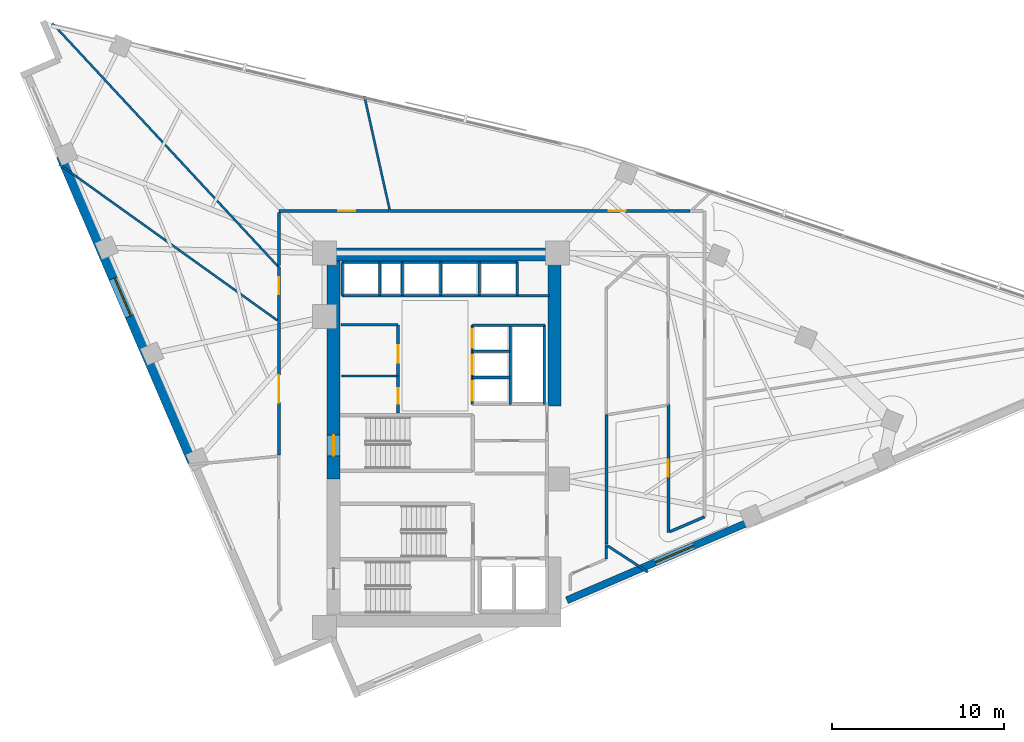
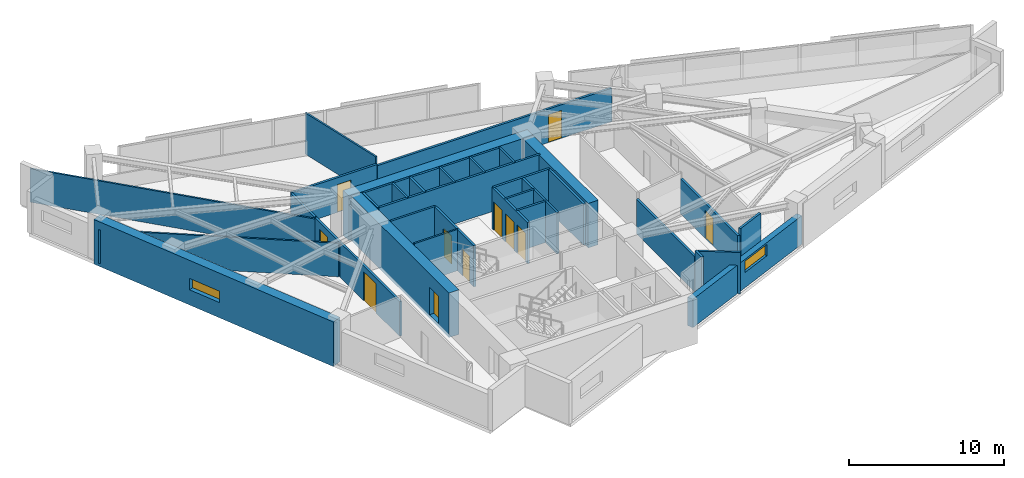
# One storey, part 10 of 14: 36 walls, 11 doors, 2 windows, 13 openings.
"""IFC4 building model written with IfcOpenShell, lengths in metres."""

import ifcopenshell
import ifcopenshell.guid

model = None  # the IFC model being written
_history = None  # IfcOwnerHistory: only IFC2X3 demands one
_inside = {}  # id of a spatial element -> (the spatial element, [elements in it])
_under = {}  # id of a project, library or spatial element -> (it, [spatial elements below it])
_declared = {}  # id of a project -> (the project, [libraries it declares])
_typed = {}  # id of a type object -> (the type object, [elements of that type])
_made_of = {}  # id of a material, layer set ... -> (it, [elements and type objects made of it])


def new_model(schema):
    """Start an empty IFC model of exactly this schema.

    Asked for "IFC4X3", IfcOpenShell would pick the latest addendum, in which some entities
    have other attributes; the version numbers below select the first issue.
    IFC2X3 requires an IfcOwnerHistory on every rooted entity: one is made here for all.
    """
    global model, _history
    if schema == "IFC4X3":
        model = ifcopenshell.file(schema_version=(4, 3, 0, 0))
    else:
        model = ifcopenshell.file(schema=schema)
    _inside.clear()
    _under.clear()
    _declared.clear()
    _typed.clear()
    _made_of.clear()
    _history = None
    if model.schema == "IFC2X3":
        org = make("IfcOrganization", Name="unknown")
        user = make(
            "IfcPersonAndOrganization",
            ThePerson=make("IfcPerson", FamilyName="unknown"),
            TheOrganization=org,
        )
        app = make(
            "IfcApplication",
            ApplicationDeveloper=org,
            Version="unknown",
            ApplicationFullName="unknown",
            ApplicationIdentifier="unknown",
        )
        _history = make(
            "IfcOwnerHistory",
            OwningUser=user,
            OwningApplication=app,
            ChangeAction="ADDED",
            CreationDate=0,
        )
    return model


def make(cls, **values):
    """One entity of the class cls with the attributes given. An attribute that is None is left unset."""
    return model.create_entity(
        cls, **{name: value for name, value in values.items() if value is not None}
    )


def rooted(cls, **values):
    """An entity with a GlobalId (a new one), such as an element, a storey or a relation."""
    return make(cls, GlobalId=ifcopenshell.guid.new(), OwnerHistory=_history, **values)


def si_unit(unit_type, name, prefix=None):
    """IfcSIUnit, for example si_unit("LENGTHUNIT", "METRE", prefix="MILLI")."""
    return make("IfcSIUnit", UnitType=unit_type, Prefix=prefix, Name=name)


def assignment(units):
    """IfcUnitAssignment: the units of a project."""
    return None if units is None else make("IfcUnitAssignment", Units=units)


def point(xyz):
    """IfcCartesianPoint."""
    return None if xyz is None else make("IfcCartesianPoint", Coordinates=xyz)


def direction(xyz):
    """IfcDirection."""
    return None if xyz is None else make("IfcDirection", DirectionRatios=xyz)


def frame(location, z_axis=None, x_axis=None):
    """IfcAxis2Placement3D, a coordinate frame: its origin and axes. An axis left out is left unset."""
    return make(
        "IfcAxis2Placement3D",
        Location=point(location),
        Axis=direction(z_axis),
        RefDirection=direction(x_axis),
    )


def frame_2d(location, x_axis=None):
    """IfcAxis2Placement2D, a coordinate frame in the plane: its origin and x axis."""
    return make(
        "IfcAxis2Placement2D", Location=point(location), RefDirection=direction(x_axis)
    )


def origin():
    """The frame at (0, 0, 0) with its axes left unset."""
    return frame((0.0, 0.0, 0.0))


def place(relative_to, where):
    """IfcLocalPlacement: puts the frame where relative to a parent placement (None: the world)."""
    return make(
        "IfcLocalPlacement", PlacementRelTo=relative_to, RelativePlacement=where
    )


def context(
    kind, dimensions, precision=None, world=None, true_north=None, identifier=None
):
    """IfcGeometricRepresentationContext, for example the 3D "Model" context."""
    return make(
        "IfcGeometricRepresentationContext",
        ContextIdentifier=identifier,
        ContextType=kind,
        CoordinateSpaceDimension=dimensions,
        Precision=precision,
        WorldCoordinateSystem=world,
        TrueNorth=true_north,
    )


def subcontext(parent, identifier, kind, view, scale=None):
    """IfcGeometricRepresentationSubContext, for example "Body" below "Model"."""
    return make(
        "IfcGeometricRepresentationSubContext",
        ContextIdentifier=identifier,
        ContextType=kind,
        ParentContext=parent,
        TargetScale=scale,
        TargetView=view,
    )


def project(units=None, contexts=None):
    """IfcProject with its units and contexts."""
    return rooted(
        "IfcProject",
        Name="project",
        RepresentationContexts=contexts,
        UnitsInContext=assignment(units),
    )


def spatial(cls, under=None, at=None, **own):
    """A site, building, storey or space (cls), placed at a placement, below another one or the project."""
    s = rooted(cls, ObjectPlacement=at, **own)
    if under is not None:
        _under.setdefault(under.id(), (under, []))[1].append(s)
    return s


def profile(cls, at=None, kind="AREA", **sizes):
    """A parametric profile (cls). Its sizes go by their IFC names, for example OverallWidth=200.0."""
    return make(cls, ProfileType=kind, Position=at, **sizes)


def rectangle(**sizes):
    """IfcRectangleProfileDef."""
    return profile("IfcRectangleProfileDef", **sizes)


def extrude(swept, where, along, depth):
    """IfcExtrudedAreaSolid: the profile swept, set in the frame where, extruded along a direction by depth."""
    return make(
        "IfcExtrudedAreaSolid",
        SweptArea=swept,
        Position=where,
        ExtrudedDirection=direction(along),
        Depth=depth,
    )


def shape(context_of_items, identifier, shape_type, items):
    """IfcShapeRepresentation: the items that make up one representation, for example the "Body"."""
    return make(
        "IfcShapeRepresentation",
        ContextOfItems=context_of_items,
        RepresentationIdentifier=identifier,
        RepresentationType=shape_type,
        Items=items,
    )


def material(Name=None, Category=None):
    """IfcMaterial."""
    return make("IfcMaterial", Name=Name, Category=Category)


def layer(
    of_material, thickness, ventilated=None, Name=None, Category=None, Priority=None
):
    """IfcMaterialLayer: one layer of a wall or slab, of a material (None: an air gap)."""
    return make(
        "IfcMaterialLayer",
        Material=of_material,
        LayerThickness=thickness,
        IsVentilated=ventilated,
        Name=Name,
        Category=Category,
        Priority=Priority,
    )


def layer_set(layers, Name=None):
    """IfcMaterialLayerSet."""
    return make("IfcMaterialLayerSet", MaterialLayers=layers, LayerSetName=Name)


def made_of(thing, what):
    """Note that an element or type object is made of a material, layer set ...; save() writes the relation."""
    if what is not None:
        _made_of.setdefault(what.id(), (what, []))[1].append(thing)
    return thing


def type_object(cls, material=None, **own):
    """A type object (cls), such as IfcWallType, which elements share."""
    return made_of(rooted(cls, **own), material)


def element(
    cls,
    number,
    at=None,
    inside=None,
    cuts=None,
    type_object=None,
    material=None,
    context=None,
    identifier="Body",
    shape_type=None,
    held_by="IfcProductDefinitionShape",
    body=None,
    shapes=None,
    **own,
):
    """One element of the class cls, such as IfcWall. Its Tag is "e" and its number.

    at: its placement. inside: the storey or other place that contains it. cuts: it is an
    opening in that element (IfcRelVoidsElement). A single representation is given by context,
    identifier, shape_type and body (its items); several are given by shapes. held_by: the class
    of the entity that holds the representations. save() writes the other relations.
    """
    e = rooted(cls, Tag="e%d" % number, ObjectPlacement=at, **own)
    if body is not None:
        shapes = [shape(context, identifier, shape_type, body)]
    if shapes is not None:
        e.Representation = make(held_by, Representations=shapes)
    if inside is not None:
        _inside.setdefault(inside.id(), (inside, []))[1].append(e)
    if cuts is not None:
        rooted(
            "IfcRelVoidsElement", RelatingBuildingElement=cuts, RelatedOpeningElement=e
        )
    if type_object is not None:
        _typed.setdefault(type_object.id(), (type_object, []))[1].append(e)
    return made_of(e, material)


def fill(opening, filler):
    """IfcRelFillsElement: the door or window that sits in an opening."""
    return rooted(
        "IfcRelFillsElement",
        RelatingOpeningElement=opening,
        RelatedBuildingElement=filler,
    )


def aggregate(whole, parts):
    """IfcRelAggregates: a whole, such as a stair, and the parts it consists of."""
    return rooted("IfcRelAggregates", RelatingObject=whole, RelatedObjects=parts)


def save(model, path):
    """Write the relations noted so far, then the file.

    IfcRelAggregates (storeys below a building ...), IfcRelContainedInSpatialStructure (elements
    in a storey), IfcRelDefinesByType, IfcRelAssociatesMaterial and IfcRelDeclares: one each for
    every whole, place, type object, material and project.
    """
    for whole, parts in _under.values():
        aggregate(whole, parts)
    for where, things in _inside.values():
        rooted(
            "IfcRelContainedInSpatialStructure",
            RelatedElements=things,
            RelatingStructure=where,
        )
    for kind, things in _typed.values():
        rooted("IfcRelDefinesByType", RelatedObjects=things, RelatingType=kind)
    for what, things in _made_of.values():
        rooted("IfcRelAssociatesMaterial", RelatedObjects=things, RelatingMaterial=what)
    for by, libraries in _declared.values():
        rooted("IfcRelDeclares", RelatingContext=by, RelatedDefinitions=libraries)
    model.write(path)


model = new_model("IFC4")

# Units and contexts
model_context = context("Model", 3, precision=1e-05, world=origin(), true_north=direction((0.0, 1.0)))
body_context = subcontext(model_context, "Body", "Model", "MODEL_VIEW")
ifc_project = project(units=[si_unit("LENGTHUNIT", "METRE"), si_unit("AREAUNIT", "SQUARE_METRE"), si_unit("VOLUMEUNIT", "CUBIC_METRE"), si_unit("PLANEANGLEUNIT", "RADIAN"), si_unit("MASSUNIT", "GRAM", prefix="KILO")], contexts=[model_context])

# Site, building, storey
site_placement = place(None, origin())
site = spatial("IfcSite", under=ifc_project, at=site_placement, CompositionType="ELEMENT")
building_placement = place(site_placement, origin())
building = spatial("IfcBuilding", under=site, at=building_placement, Name="Narakoshi Arena Tower", CompositionType="ELEMENT")
storey_placement = place(building_placement, frame((0.0, 0.0, 179.10009765625)))
storey = spatial("IfcBuildingStorey", under=building, at=storey_placement, Name="L48", CompositionType="ELEMENT", Elevation=179.10009765625)

# Wall, opening, door
ifc_material_1 = material(Name="Concrete C50/60", Category="concrete")
ifc_layer_1 = layer(ifc_material_1, 0.75)
ifc_layer_set_1 = layer_set([ifc_layer_1], Name="Concrete C50/60")
wall_type_1 = type_object("IfcWallType", Name="WL-CORE-750", PredefinedType="SHEAR", material=ifc_layer_set_1)
wall_1_placement = place(storey_placement, frame((72.52490234375, 43.35009765625, -0.260009765625), z_axis=(0.0, 0.0, 1.0), x_axis=(0.0, 1.0, 0.0)))
wall_1 = element("IfcWall", 1, at=wall_1_placement, inside=storey, type_object=wall_type_1, Name="L48 Main Core Shear Wall CW-MN-W", PredefinedType="SHEAR", context=body_context, shape_type="SweptSolid", body=[
    extrude(rectangle(XDim=12.699951171875, YDim=0.75, at=frame_2d((6.35009765625, 0.0))), origin(), (0.0, 0.0, 1.0), 3.52001953125),
])
opening_1_placement = place(wall_1_placement, frame((1.35009765625, 0.0, 0.260009765625)))
opening_1 = element("IfcOpeningElement", 2, at=opening_1_placement, cuts=wall_1, Name="Opening D-03", PredefinedType="OPENING", context=body_context, shape_type="SweptSolid", body=[
    extrude(rectangle(XDim=1.199951171875, YDim=2.199951171875, at=frame_2d((0.60009765625, 1.10009765625))), frame((0.0, 0.385009765625, 0.0), z_axis=(0.0, -1.0, 0.0), x_axis=(1.0, 0.0, 0.0)), (0.0, 0.0, 1.0), 0.77001953125),
])
ifc_material_2 = material(Name="Painted galvanized steel", Category="steel")
door_type_1 = type_object("IfcDoorType", Name="DR-STR-1200", OperationType="NOTDEFINED", PredefinedType="USERDEFINED", material=ifc_material_2)
door_1_placement = place(opening_1_placement, frame((1.199951171875, 0.0, 0.0), z_axis=(0.0, 0.0, 1.0), x_axis=(-1.0, 0.0, 0.0)))
door_1 = element("IfcDoor", 3, at=door_1_placement, inside=storey, type_object=door_type_1, Name="DR-L48-006", ObjectType="EXITDOOR", OperationType="SINGLE_SWING_LEFT", OverallHeight=2.199951171875, OverallWidth=1.199951171875, PredefinedType="USERDEFINED", context=body_context, shape_type="SweptSolid", body=[
    extrude(rectangle(XDim=1.199951171875, YDim=2.199951171875, at=frame_2d((0.60009765625, 1.10009765625))), frame((0.0, 0.02490234375, 0.0), z_axis=(0.0, -1.0, 0.0), x_axis=(1.0, 0.0, 0.0)), (0.0, 0.0, 1.0), 0.050048828125),
])
fill(opening_1, door_1)

# Walls
wall_2_placement = place(storey_placement, frame((72.0, 56.425048828125, -0.260009765625), z_axis=(0.0, 0.0, 1.0), x_axis=(1.0, 0.0, 0.0)))
element("IfcWall", 4, at=wall_2_placement, inside=storey, type_object=wall_type_1, Name="L48 Main Core Shear Wall CW-MN-N", PredefinedType="SHEAR", context=body_context, shape_type="SweptSolid", body=[
    extrude(rectangle(XDim=13.75, YDim=0.75, at=frame_2d((6.875, 0.0))), origin(), (0.0, 0.0, 1.0), 3.52001953125),
])
wall_3_placement = place(storey_placement, frame((85.375, 47.60009765625, -0.260009765625), z_axis=(0.0, 0.0, 1.0), x_axis=(0.0, 1.0, 0.0)))
element("IfcWall", 5, at=wall_3_placement, inside=storey, type_object=wall_type_1, Name="L48 Main Core Shear Wall CW-MN-E", PredefinedType="SHEAR", context=body_context, shape_type="SweptSolid", body=[
    extrude(rectangle(XDim=8.449951171875, YDim=0.75, at=frame_2d((4.22509765625, 0.0))), origin(), (0.0, 0.0, 1.0), 3.52001953125),
])
ifc_material_3 = material(Name="Gypsum plasterboard fire-rated partition")
ifc_layer_2 = layer(ifc_material_3, 0.1650390625)
ifc_layer_set_2 = layer_set([ifc_layer_2], Name="Gypsum plasterboard fire-rated partition")
wall_type_2 = type_object("IfcWallType", Name="WL-CORR-165", PredefinedType="PARTITIONING", material=ifc_layer_set_2)
wall_4_placement = place(storey_placement, frame((88.39990234375, 39.580322265625, 0.0), z_axis=(0.0, 0.0, 1.0), x_axis=(0.0, 1.0, 0.0)))
element("IfcWall", 6, at=wall_4_placement, inside=storey, type_object=wall_type_2, Name="L48 Corridor Partition 03-1", PredefinedType="PARTITIONING", context=body_context, shape_type="SweptSolid", body=[
    extrude(rectangle(XDim=7.53662109375, YDim=0.1650390625, at=frame_2d((3.768310546875, 0.0))), origin(), (0.0, 0.0, 1.0), 2.744873046875),
])

# Wall, opening, door
wall_5_placement = place(storey_placement, frame((92.0048828125, 47.691162109375, 0.0), z_axis=(0.0, 0.0, 1.0), x_axis=(0.0, -1.0, 0.0)))
wall_5 = element("IfcWall", 7, at=wall_5_placement, inside=storey, type_object=wall_type_2, Name="L48 Corridor Partition 03-2", PredefinedType="PARTITIONING", context=body_context, shape_type="SweptSolid", body=[
    extrude(rectangle(XDim=7.443115234375, YDim=0.1650390625, at=frame_2d((3.7216796875, 0.0))), origin(), (0.0, 0.0, 1.0), 2.744873046875),
])
opening_2_placement = place(wall_5_placement, frame((3.221435546875, 0.0, 0.0)))
opening_2 = element("IfcOpeningElement", 8, at=opening_2_placement, cuts=wall_5, Name="Opening D-06", PredefinedType="OPENING", context=body_context, shape_type="SweptSolid", body=[
    extrude(rectangle(XDim=1.0, YDim=2.199951171875, at=frame_2d((0.5, 1.10009765625))), frame((0.0, 0.092529296875, 0.0), z_axis=(0.0, -1.0, 0.0), x_axis=(1.0, 0.0, 0.0)), (0.0, 0.0, 1.0), 0.18505859375),
])
ifc_material_4 = material(Name="Stained oak solid-core timber", Category="wood")
door_type_2 = type_object("IfcDoorType", Name="DR-OFF-1000", OperationType="NOTDEFINED", PredefinedType="DOOR", material=ifc_material_4)
door_2_placement = place(opening_2_placement, frame((1.0, 0.0, 0.0), z_axis=(0.0, 0.0, 1.0), x_axis=(-1.0, 0.0, 0.0)))
door_2 = element("IfcDoor", 9, at=door_2_placement, inside=storey, type_object=door_type_2, Name="DR-L48-016", OperationType="SINGLE_SWING_RIGHT", OverallHeight=2.199951171875, OverallWidth=1.0, PredefinedType="DOOR", context=body_context, shape_type="SweptSolid", body=[
    extrude(rectangle(XDim=1.0, YDim=2.199951171875, at=frame_2d((0.5, 1.10009765625))), frame((0.0, 0.02490234375, 0.0), z_axis=(0.0, -1.0, 0.0), x_axis=(1.0, 0.0, 0.0)), (0.0, 0.0, 1.0), 0.050048828125),
])
fill(opening_2, door_2)

# Wall
wall_6_placement = place(storey_placement, frame((92.099609375, 40.288818359375, 0.0), z_axis=(0.0, 0.0, 1.0), x_axis=(0.918791733635, 0.394742637935, 0.0)))
element("IfcWall", 10, at=wall_6_placement, inside=storey, type_object=wall_type_2, Name="L48 Corridor Partition 03-4", PredefinedType="PARTITIONING", context=body_context, shape_type="SweptSolid", body=[
    extrude(rectangle(XDim=2.1826171875, YDim=0.1650390625, at=frame_2d((1.09130859375, 0.0))), origin(), (0.0, 0.0, 1.0), 3.260009765625),
])

# Wall, opening, door
wall_7_placement = place(storey_placement, frame((93.268310546875, 58.944091796875, 0.0), z_axis=(0.0, 0.0, 1.0), x_axis=(-1.0, 0.0, 0.0)))
wall_7 = element("IfcWall", 11, at=wall_7_placement, inside=storey, type_object=wall_type_2, Name="L48 Corridor Partition 06-1", PredefinedType="PARTITIONING", context=body_context, shape_type="SweptSolid", body=[
    extrude(rectangle(XDim=17.5, YDim=0.1650390625, at=frame_2d((8.75, 0.0))), origin(), (0.0, 0.0, 1.0), 2.64501953125),
])
opening_3_placement = place(wall_7_placement, frame((3.741943359375, 0.0, 0.0)))
opening_3 = element("IfcOpeningElement", 12, at=opening_3_placement, cuts=wall_7, Name="Opening D-06", PredefinedType="OPENING", context=body_context, shape_type="SweptSolid", body=[
    extrude(rectangle(XDim=1.0, YDim=2.199951171875, at=frame_2d((0.5, 1.10009765625))), frame((0.0, 0.092529296875, 0.0), z_axis=(0.0, -1.0, 0.0), x_axis=(1.0, 0.0, 0.0)), (0.0, 0.0, 1.0), 0.18505859375),
])
door_3_placement = place(opening_3_placement, frame((1.0, 0.0, 0.0), z_axis=(0.0, 0.0, 1.0), x_axis=(-1.0, 0.0, 0.0)))
door_3 = element("IfcDoor", 13, at=door_3_placement, inside=storey, type_object=door_type_2, Name="DR-L48-019", OperationType="SINGLE_SWING_LEFT", OverallHeight=2.199951171875, OverallWidth=1.0, PredefinedType="DOOR", context=body_context, shape_type="SweptSolid", body=[
    extrude(rectangle(XDim=1.0, YDim=2.199951171875, at=frame_2d((0.5, 1.10009765625))), frame((0.0, 0.02490234375, 0.0), z_axis=(0.0, -1.0, 0.0), x_axis=(1.0, 0.0, 0.0)), (0.0, 0.0, 1.0), 0.050048828125),
])
fill(opening_3, door_3)

wall_8_placement = place(storey_placement, frame((69.344970703125, 55.690185546875, 0.0), z_axis=(0.0, 0.0, 1.0), x_axis=(0.0, -1.0, 0.0)))
wall_8 = element("IfcWall", 14, at=wall_8_placement, inside=storey, type_object=wall_type_2, Name="L48 Corridor Partition 07-1", PredefinedType="PARTITIONING", context=body_context, shape_type="SweptSolid", body=[
    extrude(rectangle(XDim=3.218505859375, YDim=0.1650390625, at=frame_2d((1.609375, 0.0))), origin(), (0.0, 0.0, 1.0), 2.744873046875),
])
opening_4_placement = place(wall_8_placement, frame((0.60009765625, 0.0, 0.0)))
opening_4 = element("IfcOpeningElement", 15, at=opening_4_placement, cuts=wall_8, Name="Opening D-06", PredefinedType="OPENING", context=body_context, shape_type="SweptSolid", body=[
    extrude(rectangle(XDim=1.0, YDim=2.199951171875, at=frame_2d((0.5, 1.10009765625))), frame((0.0, 0.092529296875, 0.0), z_axis=(0.0, -1.0, 0.0), x_axis=(1.0, 0.0, 0.0)), (0.0, 0.0, 1.0), 0.18505859375),
])
door_4_placement = place(opening_4_placement, frame((1.0, 0.0, 0.0), z_axis=(0.0, 0.0, 1.0), x_axis=(-1.0, 0.0, 0.0)))
door_4 = element("IfcDoor", 16, at=door_4_placement, inside=storey, type_object=door_type_2, Name="DR-L48-020", OperationType="SINGLE_SWING_RIGHT", OverallHeight=2.199951171875, OverallWidth=1.0, PredefinedType="DOOR", context=body_context, shape_type="SweptSolid", body=[
    extrude(rectangle(XDim=1.0, YDim=2.199951171875, at=frame_2d((0.5, 1.10009765625))), frame((0.0, 0.02490234375, 0.0), z_axis=(0.0, -1.0, 0.0), x_axis=(1.0, 0.0, 0.0)), (0.0, 0.0, 1.0), 0.050048828125),
])
fill(opening_4, door_4)

wall_9_placement = place(storey_placement, frame((75.743896484375, 58.944091796875, 0.0), z_axis=(0.0, 0.0, 1.0), x_axis=(-1.0, 0.0, 0.0)))
wall_9 = element("IfcWall", 17, at=wall_9_placement, inside=storey, type_object=wall_type_2, Name="L48 Corridor Partition 08-1", PredefinedType="PARTITIONING", context=body_context, shape_type="SweptSolid", body=[
    extrude(rectangle(XDim=6.39892578125, YDim=0.1650390625, at=frame_2d((3.199462890625, 0.0))), origin(), (0.0, 0.0, 1.0), 2.744873046875),
])
opening_5_placement = place(wall_9_placement, frame((1.94970703125, 0.0, 0.0)))
opening_5 = element("IfcOpeningElement", 18, at=opening_5_placement, cuts=wall_9, Name="Opening D-06", PredefinedType="OPENING", context=body_context, shape_type="SweptSolid", body=[
    extrude(rectangle(XDim=1.0, YDim=2.199951171875, at=frame_2d((0.5, 1.10009765625))), frame((0.0, 0.092529296875, 0.0), z_axis=(0.0, -1.0, 0.0), x_axis=(1.0, 0.0, 0.0)), (0.0, 0.0, 1.0), 0.18505859375),
])
door_5_placement = place(opening_5_placement, frame((1.0, 0.0, 0.0), z_axis=(0.0, 0.0, 1.0), x_axis=(-1.0, 0.0, 0.0)))
door_5 = element("IfcDoor", 19, at=door_5_placement, inside=storey, type_object=door_type_2, Name="DR-L48-021", OperationType="SINGLE_SWING_LEFT", OverallHeight=2.199951171875, OverallWidth=1.0, PredefinedType="DOOR", context=body_context, shape_type="SweptSolid", body=[
    extrude(rectangle(XDim=1.0, YDim=2.199951171875, at=frame_2d((0.5, 1.10009765625))), frame((0.0, 0.02490234375, 0.0), z_axis=(0.0, -1.0, 0.0), x_axis=(1.0, 0.0, 0.0)), (0.0, 0.0, 1.0), 0.050048828125),
])
fill(opening_5, door_5)

# Wall
wall_10_placement = place(storey_placement, frame((69.344970703125, 58.849609375, 0.0), z_axis=(0.0, 0.0, 1.0), x_axis=(0.0, -1.0, 0.0)))
element("IfcWall", 20, at=wall_10_placement, inside=storey, type_object=wall_type_2, Name="L48 Corridor Partition 08-2", PredefinedType="PARTITIONING", context=body_context, shape_type="SweptSolid", body=[
    extrude(rectangle(XDim=3.07470703125, YDim=0.1650390625, at=frame_2d((1.537353515625, 0.0))), origin(), (0.0, 0.0, 1.0), 2.744873046875),
])

# Wall, opening, door
wall_11_placement = place(storey_placement, frame((69.344970703125, 52.44189453125, 0.0), z_axis=(0.0, 0.0, 1.0), x_axis=(0.0, -1.0, 0.0)))
wall_11 = element("IfcWall", 21, at=wall_11_placement, inside=storey, type_object=wall_type_2, Name="L48 Corridor Partition 09-1", PredefinedType="PARTITIONING", context=body_context, shape_type="SweptSolid", body=[
    extrude(rectangle(XDim=7.698486328125, YDim=0.1650390625, at=frame_2d((3.84912109375, 0.0))), origin(), (0.0, 0.0, 1.0), 2.744873046875),
])
opening_6_placement = place(wall_11_placement, frame((3.04931640625, 0.0, 0.0)))
opening_6 = element("IfcOpeningElement", 22, at=opening_6_placement, cuts=wall_11, Name="Opening D-05", PredefinedType="OPENING", context=body_context, shape_type="SweptSolid", body=[
    extrude(rectangle(XDim=1.60009765625, YDim=2.300048828125, at=frame_2d((0.800048828125, 1.14990234375))), frame((0.0, 0.092529296875, 0.0), z_axis=(0.0, -1.0, 0.0), x_axis=(1.0, 0.0, 0.0)), (0.0, 0.0, 1.0), 0.18505859375),
])
door_type_3 = type_object("IfcDoorType", Name="DR-STE-1600", OperationType="DOUBLE_DOOR_SINGLE_SWING", PredefinedType="DOOR", material=ifc_material_4)
door_6_placement = place(opening_6_placement, frame((1.60009765625, 0.0, 0.0), z_axis=(0.0, 0.0, 1.0), x_axis=(-1.0, 0.0, 0.0)))
door_6 = element("IfcDoor", 23, at=door_6_placement, inside=storey, type_object=door_type_3, Name="DR-L48-022", OperationType="DOUBLE_DOOR_SINGLE_SWING", OverallHeight=2.300048828125, OverallWidth=1.60009765625, PredefinedType="DOOR", context=body_context, shape_type="SweptSolid", body=[
    extrude(rectangle(XDim=1.60009765625, YDim=2.300048828125, at=frame_2d((0.800048828125, 1.14990234375))), frame((0.0, 0.02490234375, 0.0), z_axis=(0.0, -1.0, 0.0), x_axis=(1.0, 0.0, 0.0)), (0.0, 0.0, 1.0), 0.050048828125),
])
fill(opening_6, door_6)

# Wall, opening, window
ifc_material_5 = material(Name="Concrete C60/75", Category="concrete")
ifc_layer_3 = layer(ifc_material_5, 0.699951171875)
ifc_layer_set_3 = layer_set([ifc_layer_3], Name="Concrete C60/75")
wall_type_3 = type_object("IfcWallType", Name="WL-LEG-700", PredefinedType="SHEAR", material=ifc_layer_set_3)
wall_12_placement = place(storey_placement, frame((56.7275390625, 62.171875, -0.260009765625), z_axis=(0.0, 0.0, 1.0), x_axis=(0.394736752992, -0.918794261974, 0.0)))
wall_12 = element("IfcWall", 24, at=wall_12_placement, inside=storey, type_object=wall_type_3, Name="L48 Architectural Concrete Structural Wall LEGB-2", PredefinedType="SHEAR", context=body_context, shape_type="SweptSolid", body=[
    extrude(rectangle(XDim=19.3525390625, YDim=0.699951171875, at=frame_2d((9.67626953125, 0.0))), origin(), (0.0, 0.0, 1.0), 3.52001953125),
])
opening_7_placement = place(wall_12_placement, frame((7.747314453125, 0.0, 1.199951171875)))
opening_7 = element("IfcOpeningElement", 25, at=opening_7_placement, cuts=wall_12, Name="Opening WN-01", PredefinedType="OPENING", context=body_context, shape_type="SweptSolid", body=[
    extrude(rectangle(XDim=2.39990234375, YDim=0.89990234375, at=frame_2d((1.199951171875, 0.449951171875))), frame((0.0, 0.35986328125, 0.0), z_axis=(0.0, -1.0, 0.0), x_axis=(1.0, 0.0, 0.0)), (0.0, 0.0, 1.0), 0.719970703125),
])
ifc_material_6 = material(Name="Bronze-tinted low-E laminated glass", Category="glass")
window_type = type_object("IfcWindowType", Name="WIN-SLT-24x09", PartitioningType="SINGLE_PANEL", PredefinedType="WINDOW", material=ifc_material_6)
window_1_placement = place(opening_7_placement, origin())
window_1 = element("IfcWindow", 26, at=window_1_placement, inside=storey, type_object=window_type, Name="L48 LEGB2 Horizontal Slot Window 1", OverallHeight=0.89990234375, OverallWidth=2.39990234375, PartitioningType="SINGLE_PANEL", PredefinedType="WINDOW", context=body_context, shape_type="SweptSolid", body=[
    extrude(rectangle(XDim=2.39990234375, YDim=0.89990234375, at=frame_2d((1.199951171875, 0.449951171875))), frame((0.0, 0.030029296875, 0.0), z_axis=(0.0, -1.0, 0.0), x_axis=(1.0, 0.0, 0.0)), (0.0, 0.0, 1.0), 0.06005859375),
])
fill(opening_7, window_1)

# Walls
ifc_layer_4 = layer(ifc_material_3, 0.125)
ifc_layer_set_4 = layer_set([ifc_layer_4], Name="Gypsum plasterboard fire-rated partition")
wall_type_4 = type_object("IfcWallType", Name="WL-PART-125", PredefinedType="PARTITIONING", material=ifc_layer_set_4)
wall_13_placement = place(storey_placement, frame((73.0, 49.35009765625, 0.0), z_axis=(0.0, 0.0, 1.0), x_axis=(1.0, 0.0, 0.0)))
element("IfcWall", 27, at=wall_13_placement, inside=storey, type_object=wall_type_4, Name="L48 Core Wall RCL-LR-D1", PredefinedType="PARTITIONING", context=body_context, shape_type="SweptSolid", body=[
    extrude(rectangle(XDim=3.280029296875, YDim=0.125, at=frame_2d((1.64013671875, 0.0))), origin(), (0.0, 0.0, 1.0), 3.260009765625),
])
wall_14_placement = place(storey_placement, frame((75.78271484375, 59.03857421875, 0.0), z_axis=(0.0, 0.0, 1.0), x_axis=(-0.217217224903, 0.976123289962, 0.0)))
element("IfcWall", 28, at=wall_14_placement, inside=storey, type_object=wall_type_4, Name="L48 Inter-Room Partition 06-08", PredefinedType="PARTITIONING", context=body_context, shape_type="SweptSolid", body=[
    extrude(rectangle(XDim=6.760498046875, YDim=0.125, at=frame_2d((3.38037109375, 0.0))), origin(), (0.0, 0.0, 1.0), 3.260009765625),
])
wall_15_placement = place(storey_placement, frame((56.16650390625, 69.862060546875, 0.0), z_axis=(0.0, 0.0, 1.0), x_axis=(0.680337770929, -0.732898708859, 0.0)))
element("IfcWall", 29, at=wall_15_placement, inside=storey, type_object=wall_type_4, Name="L48 Inter-Room Partition 07-08", PredefinedType="PARTITIONING", context=body_context, shape_type="SweptSolid", body=[
    extrude(rectangle(XDim=19.336669921875, YDim=0.125, at=frame_2d((9.66845703125, 0.0))), origin(), (0.0, 0.0, 1.0), 2.64501953125),
])
wall_16_placement = place(storey_placement, frame((69.25048828125, 52.583740234375, 0.0), z_axis=(0.0, 0.0, 1.0), x_axis=(-0.81317476018, 0.58201959538, 0.0)))
element("IfcWall", 30, at=wall_16_placement, inside=storey, type_object=wall_type_4, Name="L48 Inter-Room Partition 07-09", PredefinedType="PARTITIONING", context=body_context, shape_type="SweptSolid", body=[
    extrude(rectangle(XDim=15.599609375, YDim=0.125, at=frame_2d((7.7998046875, 0.0))), origin(), (0.0, 0.0, 1.0), 2.64501953125),
])

# Wall, opening, window
ifc_material_7 = material(Name="Precast concrete C45/55", Category="concrete")
ifc_layer_5 = layer(ifc_material_7, 0.419921875)
ifc_layer_set_5 = layer_set([ifc_layer_5], Name="Precast concrete C45/55")
wall_type_5 = type_object("IfcWallType", Name="WL-POD-420", PredefinedType="SOLIDWALL", material=ifc_layer_set_5)
wall_17_placement = place(storey_placement, frame((86.10009765625, 36.296142578125, 0.0), z_axis=(0.0, 0.0, 1.0), x_axis=(0.918792412723, 0.394741057306, 0.0)))
wall_17 = element("IfcWall", 31, at=wall_17_placement, inside=storey, type_object=wall_type_5, Name="L48 Architectural Concrete Facade Wall LEGA-2", PredefinedType="SOLIDWALL", context=body_context, shape_type="SweptSolid", body=[
    extrude(rectangle(XDim=11.79443359375, YDim=0.419921875, at=frame_2d((5.897216796875, 0.0))), origin(), (0.0, 0.0, 1.0), 2.244873046875),
])
opening_8_placement = place(wall_17_placement, frame((5.611083984375, 0.0, 1.199951171875)))
opening_8 = element("IfcOpeningElement", 32, at=opening_8_placement, cuts=wall_17, Name="Opening WN-01", PredefinedType="OPENING", context=body_context, shape_type="SweptSolid", body=[
    extrude(rectangle(XDim=2.39990234375, YDim=0.89990234375, at=frame_2d((1.199951171875, 0.449951171875))), frame((0.0, 0.219970703125, 0.0), z_axis=(0.0, -1.0, 0.0), x_axis=(1.0, 0.0, 0.0)), (0.0, 0.0, 1.0), 0.43994140625),
])
window_2_placement = place(opening_8_placement, origin())
window_2 = element("IfcWindow", 33, at=window_2_placement, inside=storey, type_object=window_type, Name="L48 LEGA2 Horizontal Slot Window 1", OverallHeight=0.89990234375, OverallWidth=2.39990234375, PartitioningType="SINGLE_PANEL", PredefinedType="WINDOW", context=body_context, shape_type="SweptSolid", body=[
    extrude(rectangle(XDim=2.39990234375, YDim=0.89990234375, at=frame_2d((1.199951171875, 0.449951171875))), frame((0.0, 0.030029296875, 0.0), z_axis=(0.0, -1.0, 0.0), x_axis=(1.0, 0.0, 0.0)), (0.0, 0.0, 1.0), 0.06005859375),
])
fill(opening_8, window_2)

# Walls
ifc_material_8 = material(Name="Concrete C40/50", Category="concrete")
ifc_layer_6 = layer(ifc_material_8, 0.280029296875)
ifc_layer_set_6 = layer_set([ifc_layer_6], Name="Concrete C40/50")
wall_type_6 = type_object("IfcWallType", Name="WL-RISER-280", PredefinedType="PLUMBINGWALL", material=ifc_layer_set_6)
for number, where, z_axis, x_axis, name in (
    (34, (80.60009765625, 49.260009765625, 0.0), (0.0, 0.0, 1.0), (1.0, 0.0, 0.0), "L48 Core Wall MR-D1"),
    (35, (80.60009765625, 50.780029296875, 0.0), (0.0, 0.0, 1.0), (1.0, 0.0, 0.0), "L48 Core Wall MR-D2"),
):
    element("IfcWall", number, at=place(storey_placement, frame(where, z_axis=z_axis, x_axis=x_axis)), inside=storey, type_object=wall_type_6, Name=name, PredefinedType="PLUMBINGWALL", context=body_context, shape_type="SweptSolid", body=[
        extrude(rectangle(XDim=2.199951171875, YDim=0.14990234375, at=frame_2d((1.10009765625, 0.0))), origin(), (0.0, 0.0, 1.0), 3.260009765625),
    ])
wall_18_placement = place(storey_placement, frame((82.800048828125, 47.699951171875, 0.0), z_axis=(0.0, 0.0, 1.0), x_axis=(0.0, 1.0, 0.0)))
element("IfcWall", 36, at=wall_18_placement, inside=storey, type_object=wall_type_6, Name="L48 Core Wall MR-E", PredefinedType="PLUMBINGWALL", context=body_context, shape_type="SweptSolid", body=[
    extrude(rectangle(XDim=4.60009765625, YDim=0.14990234375, at=frame_2d((2.300048828125, 0.0))), origin(), (0.0, 0.0, 1.0), 3.260009765625),
])
for number, where, z_axis, x_axis, name in (
    (37, (73.02001953125, 54.02001953125, 0.0), (0.0, 0.0, 1.0), (0.0, 1.0, 0.0), "L48 Core Wall OBS-W"),
    (38, (75.219970703125, 54.02001953125, 0.0), (0.0, 0.0, 1.0), (0.0, 1.0, 0.0), "L48 Core Wall OBS-M"),
):
    element("IfcWall", number, at=place(storey_placement, frame(where, z_axis=z_axis, x_axis=x_axis)), inside=storey, type_object=wall_type_6, Name=name, PredefinedType="PLUMBINGWALL", context=body_context, shape_type="SweptSolid", body=[
        extrude(rectangle(XDim=1.93994140625, YDim=0.14990234375, at=frame_2d((0.969970703125, 0.0))), origin(), (0.0, 0.0, 1.0), 3.260009765625),
    ])
for number, where, z_axis, x_axis, name in (
    (39, (78.75, 54.02001953125, 0.0), (0.0, 0.0, 1.0), (0.0, 1.0, 0.0), "L48 Core Wall HR-D1"),
    (40, (81.0, 54.02001953125, 0.0), (0.0, 0.0, 1.0), (0.0, 1.0, 0.0), "L48 Core Wall HR-D2"),
):
    element("IfcWall", number, at=place(storey_placement, frame(where, z_axis=z_axis, x_axis=x_axis)), inside=storey, type_object=wall_type_6, Name=name, PredefinedType="PLUMBINGWALL", context=body_context, shape_type="SweptSolid", body=[
        extrude(rectangle(XDim=1.9599609375, YDim=0.14990234375, at=frame_2d((0.97998046875, 0.0))), origin(), (0.0, 0.0, 1.0), 3.260009765625),
    ])

# Wall, openings, doors
ifc_layer_7 = layer(ifc_material_1, 0.35009765625)
ifc_layer_set_7 = layer_set([ifc_layer_7], Name="Concrete C50/60")
wall_type_7 = type_object("IfcWallType", Name="WL-SHAFT-350", PredefinedType="SOLIDWALL", material=ifc_layer_set_7)
wall_19_placement = place(storey_placement, frame((76.280029296875, 47.179931640625, 0.0), z_axis=(0.0, 0.0, 1.0), x_axis=(0.0, 1.0, 0.0)))
wall_19 = element("IfcWall", 41, at=wall_19_placement, inside=storey, type_object=wall_type_7, Name="L48 Core Wall LR-E", PredefinedType="SOLIDWALL", context=body_context, shape_type="SweptSolid", body=[
    extrude(rectangle(XDim=5.14013671875, YDim=0.159912109375, at=frame_2d((2.570068359375, 0.0))), origin(), (0.0, 0.0, 1.0), 3.260009765625),
])
opening_9_placement = place(wall_19_placement, frame((0.550048828125, 0.0, 0.0)))
opening_9 = element("IfcOpeningElement", 42, at=opening_9_placement, cuts=wall_19, Name="Opening D-08", PredefinedType="OPENING", context=body_context, shape_type="SweptSolid", body=[
    extrude(rectangle(XDim=0.89990234375, YDim=2.10009765625, at=frame_2d((0.449951171875, 1.050048828125))), frame((0.0, 0.08984375, 0.0), z_axis=(0.0, -1.0, 0.0), x_axis=(1.0, 0.0, 0.0)), (0.0, 0.0, 1.0), 0.179931640625),
])
opening_10_placement = place(wall_19_placement, frame((2.949951171875, 0.0, 0.0)))
opening_10 = element("IfcOpeningElement", 43, at=opening_10_placement, cuts=wall_19, Name="Opening D-06", PredefinedType="OPENING", context=body_context, shape_type="SweptSolid", body=[
    extrude(rectangle(XDim=1.0, YDim=2.199951171875, at=frame_2d((0.5, 1.10009765625))), frame((0.0, 0.08984375, 0.0), z_axis=(0.0, -1.0, 0.0), x_axis=(1.0, 0.0, 0.0)), (0.0, 0.0, 1.0), 0.179931640625),
])
door_7_placement = place(opening_10_placement, frame((1.0, 0.0, 0.0), z_axis=(0.0, 0.0, 1.0), x_axis=(-1.0, 0.0, 0.0)))
door_7 = element("IfcDoor", 44, at=door_7_placement, inside=storey, type_object=door_type_2, Name="DR-L48-010", OperationType="SINGLE_SWING_LEFT", OverallHeight=2.199951171875, OverallWidth=1.0, PredefinedType="DOOR", context=body_context, shape_type="SweptSolid", body=[
    extrude(rectangle(XDim=1.0, YDim=2.199951171875, at=frame_2d((0.5, 1.10009765625))), frame((0.0, 0.02490234375, 0.0), z_axis=(0.0, -1.0, 0.0), x_axis=(1.0, 0.0, 0.0)), (0.0, 0.0, 1.0), 0.050048828125),
])
fill(opening_10, door_7)
ifc_material_9 = material(Name="Moisture-resistant laminate timber", Category="wood")
door_type_4 = type_object("IfcDoorType", Name="DR-WC-900", OperationType="NOTDEFINED", PredefinedType="DOOR", material=ifc_material_9)
door_8_placement = place(opening_9_placement, frame((0.89990234375, 0.0, 0.0), z_axis=(0.0, 0.0, 1.0), x_axis=(-1.0, 0.0, 0.0)))
door_8 = element("IfcDoor", 45, at=door_8_placement, inside=storey, type_object=door_type_4, Name="DR-L48-009", OperationType="SINGLE_SWING_RIGHT", OverallHeight=2.10009765625, OverallWidth=0.89990234375, PredefinedType="DOOR", context=body_context, shape_type="SweptSolid", body=[
    extrude(rectangle(XDim=0.89990234375, YDim=2.10009765625, at=frame_2d((0.449951171875, 1.050048828125))), frame((0.0, 0.02490234375, 0.0), z_axis=(0.0, -1.0, 0.0), x_axis=(1.0, 0.0, 0.0)), (0.0, 0.0, 1.0), 0.050048828125),
])
fill(opening_9, door_8)

# Wall
wall_20_placement = place(storey_placement, frame((72.949951171875, 52.320068359375, 0.0), z_axis=(0.0, 0.0, 1.0), x_axis=(1.0, 0.0, 0.0)))
element("IfcWall", 46, at=wall_20_placement, inside=storey, type_object=wall_type_7, Name="L48 Core Wall LR-N", PredefinedType="SOLIDWALL", context=body_context, shape_type="SweptSolid", body=[
    extrude(rectangle(XDim=3.330078125, YDim=0.14990234375, at=frame_2d((1.6650390625, 0.0))), origin(), (0.0, 0.0, 1.0), 3.260009765625),
])

# Wall, openings, doors
wall_21_placement = place(storey_placement, frame((80.60009765625, 47.699951171875, 0.0), z_axis=(0.0, 0.0, 1.0), x_axis=(0.0, 1.0, 0.0)))
wall_21 = element("IfcWall", 47, at=wall_21_placement, inside=storey, type_object=wall_type_7, Name="L48 Core Wall MR-W", PredefinedType="SOLIDWALL", context=body_context, shape_type="SweptSolid", body=[
    extrude(rectangle(XDim=4.60009765625, YDim=0.159912109375, at=frame_2d((2.300048828125, 0.0))), origin(), (0.0, 0.0, 1.0), 3.260009765625),
])
opening_11_placement = place(wall_21_placement, frame((0.239990234375, 0.0, 0.0)))
opening_11 = element("IfcOpeningElement", 48, at=opening_11_placement, cuts=wall_21, Name="Opening LD-01", PredefinedType="OPENING", context=body_context, shape_type="SweptSolid", body=[
    extrude(rectangle(XDim=1.10009765625, YDim=2.25, at=frame_2d((0.550048828125, 1.125))), frame((0.0, 0.08984375, 0.0), z_axis=(0.0, -1.0, 0.0), x_axis=(1.0, 0.0, 0.0)), (0.0, 0.0, 1.0), 0.179931640625),
])
opening_12_placement = place(wall_21_placement, frame((1.760009765625, 0.0, 0.0)))
opening_12 = element("IfcOpeningElement", 49, at=opening_12_placement, cuts=wall_21, Name="Opening LD-01", PredefinedType="OPENING", context=body_context, shape_type="SweptSolid", body=[
    extrude(rectangle(XDim=1.10009765625, YDim=2.25, at=frame_2d((0.550048828125, 1.125))), frame((0.0, 0.08984375, 0.0), z_axis=(0.0, -1.0, 0.0), x_axis=(1.0, 0.0, 0.0)), (0.0, 0.0, 1.0), 0.179931640625),
])
opening_13_placement = place(wall_21_placement, frame((3.280029296875, 0.0, 0.0)))
opening_13 = element("IfcOpeningElement", 50, at=opening_13_placement, cuts=wall_21, Name="Opening LD-01", PredefinedType="OPENING", context=body_context, shape_type="SweptSolid", body=[
    extrude(rectangle(XDim=1.10009765625, YDim=2.25, at=frame_2d((0.550048828125, 1.125))), frame((0.0, 0.08984375, 0.0), z_axis=(0.0, -1.0, 0.0), x_axis=(1.0, 0.0, 0.0)), (0.0, 0.0, 1.0), 0.179931640625),
])
ifc_material_10 = material(Name="Brushed bronze stainless steel", Category="steel")
door_type_5 = type_object("IfcDoorType", Name="DR-LFT-1100", OperationType="DOUBLE_DOOR_SLIDING", PredefinedType="DOOR", material=ifc_material_10)
door_9_placement = place(opening_11_placement, frame((1.10009765625, 0.0, 0.0), z_axis=(0.0, 0.0, 1.0), x_axis=(-1.0, 0.0, 0.0)))
door_9 = element("IfcDoor", 51, at=door_9_placement, inside=storey, type_object=door_type_5, Name="DR-L48-011", OperationType="DOUBLE_DOOR_SLIDING", OverallHeight=2.25, OverallWidth=1.10009765625, PredefinedType="DOOR", context=body_context, shape_type="SweptSolid", body=[
    extrude(rectangle(XDim=1.10009765625, YDim=2.25, at=frame_2d((0.550048828125, 1.125))), frame((0.0, 0.02490234375, 0.0), z_axis=(0.0, -1.0, 0.0), x_axis=(1.0, 0.0, 0.0)), (0.0, 0.0, 1.0), 0.050048828125),
])
fill(opening_11, door_9)
door_10_placement = place(opening_12_placement, frame((1.10009765625, 0.0, 0.0), z_axis=(0.0, 0.0, 1.0), x_axis=(-1.0, 0.0, 0.0)))
door_10 = element("IfcDoor", 52, at=door_10_placement, inside=storey, type_object=door_type_5, Name="DR-L48-012", OperationType="DOUBLE_DOOR_SLIDING", OverallHeight=2.25, OverallWidth=1.10009765625, PredefinedType="DOOR", context=body_context, shape_type="SweptSolid", body=[
    extrude(rectangle(XDim=1.10009765625, YDim=2.25, at=frame_2d((0.550048828125, 1.125))), frame((0.0, 0.02490234375, 0.0), z_axis=(0.0, -1.0, 0.0), x_axis=(1.0, 0.0, 0.0)), (0.0, 0.0, 1.0), 0.050048828125),
])
fill(opening_12, door_10)
door_11_placement = place(opening_13_placement, frame((1.10009765625, 0.0, 0.0), z_axis=(0.0, 0.0, 1.0), x_axis=(-1.0, 0.0, 0.0)))
door_11 = element("IfcDoor", 53, at=door_11_placement, inside=storey, type_object=door_type_5, Name="DR-L48-013", OperationType="DOUBLE_DOOR_SLIDING", OverallHeight=2.25, OverallWidth=1.10009765625, PredefinedType="DOOR", context=body_context, shape_type="SweptSolid", body=[
    extrude(rectangle(XDim=1.10009765625, YDim=2.25, at=frame_2d((0.550048828125, 1.125))), frame((0.0, 0.02490234375, 0.0), z_axis=(0.0, -1.0, 0.0), x_axis=(1.0, 0.0, 0.0)), (0.0, 0.0, 1.0), 0.050048828125),
])
fill(opening_13, door_11)

# Walls
wall_22_placement = place(storey_placement, frame((80.60009765625, 52.300048828125, 0.0), z_axis=(0.0, 0.0, 1.0), x_axis=(1.0, 0.0, 0.0)))
element("IfcWall", 54, at=wall_22_placement, inside=storey, type_object=wall_type_7, Name="L48 Core Wall MR-N", PredefinedType="SOLIDWALL", context=body_context, shape_type="SweptSolid", body=[
    extrude(rectangle(XDim=4.219970703125, YDim=0.159912109375, at=frame_2d((2.10986328125, 0.0))), origin(), (0.0, 0.0, 1.0), 3.260009765625),
])
wall_23_placement = place(storey_placement, frame((84.780029296875, 47.699951171875, 0.0), z_axis=(0.0, 0.0, 1.0), x_axis=(0.0, 1.0, 0.0)))
element("IfcWall", 55, at=wall_23_placement, inside=storey, type_object=wall_type_7, Name="L48 Core Wall MR-E2", PredefinedType="SOLIDWALL", context=body_context, shape_type="SweptSolid", body=[
    extrude(rectangle(XDim=4.60009765625, YDim=0.159912109375, at=frame_2d((2.300048828125, 0.0))), origin(), (0.0, 0.0, 1.0), 3.260009765625),
])
wall_24_placement = place(storey_placement, frame((73.02001953125, 54.02001953125, 0.0), z_axis=(0.0, 0.0, 1.0), x_axis=(1.0, 0.0, 0.0)))
element("IfcWall", 56, at=wall_24_placement, inside=storey, type_object=wall_type_7, Name="L48 Core Wall NSHF-S", PredefinedType="SOLIDWALL", context=body_context, shape_type="SweptSolid", body=[
    extrude(rectangle(XDim=12.080078125, YDim=0.159912109375, at=frame_2d((6.0400390625, 0.0))), origin(), (0.0, 0.0, 1.0), 3.260009765625),
])
wall_25_placement = place(storey_placement, frame((73.02001953125, 55.9599609375, 0.0), z_axis=(0.0, 0.0, 1.0), x_axis=(1.0, 0.0, 0.0)))
element("IfcWall", 57, at=wall_25_placement, inside=storey, type_object=wall_type_7, Name="L48 Core Wall OBS-N", PredefinedType="SOLIDWALL", context=body_context, shape_type="SweptSolid", body=[
    extrude(rectangle(XDim=3.5, YDim=0.14990234375, at=frame_2d((1.75, 0.0))), origin(), (0.0, 0.0, 1.0), 3.260009765625),
])
wall_26_placement = place(storey_placement, frame((76.52001953125, 54.02001953125, 0.0), z_axis=(0.0, 0.0, 1.0), x_axis=(0.0, 1.0, 0.0)))
element("IfcWall", 58, at=wall_26_placement, inside=storey, type_object=wall_type_7, Name="L48 Core Wall OBS-E", PredefinedType="SOLIDWALL", context=body_context, shape_type="SweptSolid", body=[
    extrude(rectangle(XDim=1.93994140625, YDim=0.14990234375, at=frame_2d((0.969970703125, 0.0))), origin(), (0.0, 0.0, 1.0), 3.260009765625),
])
wall_27_placement = place(storey_placement, frame((83.219970703125, 54.02001953125, 0.0), z_axis=(0.0, 0.0, 1.0), x_axis=(0.0, 1.0, 0.0)))
element("IfcWall", 59, at=wall_27_placement, inside=storey, type_object=wall_type_7, Name="L48 Core Wall HR-E", PredefinedType="SOLIDWALL", context=body_context, shape_type="SweptSolid", body=[
    extrude(rectangle(XDim=1.9599609375, YDim=0.14990234375, at=frame_2d((0.97998046875, 0.0))), origin(), (0.0, 0.0, 1.0), 3.260009765625),
])
wall_28_placement = place(storey_placement, frame((76.52001953125, 55.9599609375, 0.0), z_axis=(0.0, 0.0, 1.0), x_axis=(1.0, 0.0, 0.0)))
element("IfcWall", 60, at=wall_28_placement, inside=storey, type_object=wall_type_7, Name="L48 Core Wall HR-N", PredefinedType="SOLIDWALL", context=body_context, shape_type="SweptSolid", body=[
    extrude(rectangle(XDim=6.699951171875, YDim=0.14990234375, at=frame_2d((3.35009765625, 0.0))), origin(), (0.0, 0.0, 1.0), 3.260009765625),
])
ifc_material_11 = material(Name="Moisture-resistant cement-board partition")
ifc_layer_8 = layer(ifc_material_11, 0.14501953125)
ifc_layer_set_8 = layer_set([ifc_layer_8], Name="Moisture-resistant cement-board partition")
wall_type_8 = type_object("IfcWallType", Name="WL-WET-145", PredefinedType="PARTITIONING", material=ifc_layer_set_8)
wall_29_placement = place(storey_placement, frame((88.39990234375, 38.69921875, 0.0), z_axis=(0.0, 0.0, 1.0), x_axis=(0.0, 1.0, 0.0)))
element("IfcWall", 61, at=wall_29_placement, inside=storey, type_object=wall_type_8, Name="L48 Corridor Partition 02-2", PredefinedType="PARTITIONING", context=body_context, shape_type="SweptSolid", body=[
    extrude(rectangle(XDim=0.852783203125, YDim=0.14501953125, at=frame_2d((0.42626953125, 0.0))), origin(), (0.0, 0.0, 1.0), 3.260009765625),
])
wall_30_placement = place(storey_placement, frame((88.484619140625, 39.45458984375, 0.0), z_axis=(0.0, 0.0, 1.0), x_axis=(0.838126135921, -0.545476470882, 0.0)))
element("IfcWall", 62, at=wall_30_placement, inside=storey, type_object=wall_type_8, Name="L48 Inter-Room Partition 02-03", PredefinedType="PARTITIONING", context=body_context, shape_type="SweptSolid", body=[
    extrude(rectangle(XDim=2.777099609375, YDim=0.14501953125, at=frame_2d((1.388671875, 0.0))), origin(), (0.0, 0.0, 1.0), 3.260009765625),
])

save(model, "model.ifc")
